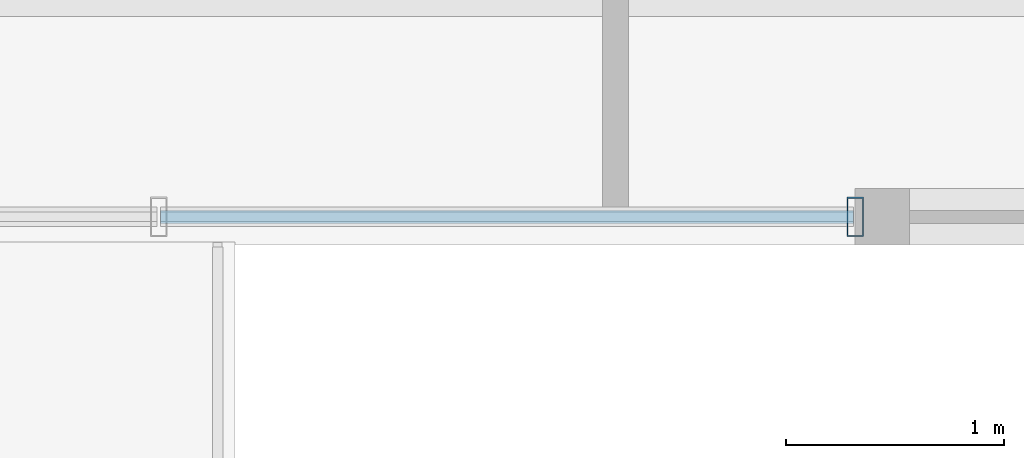
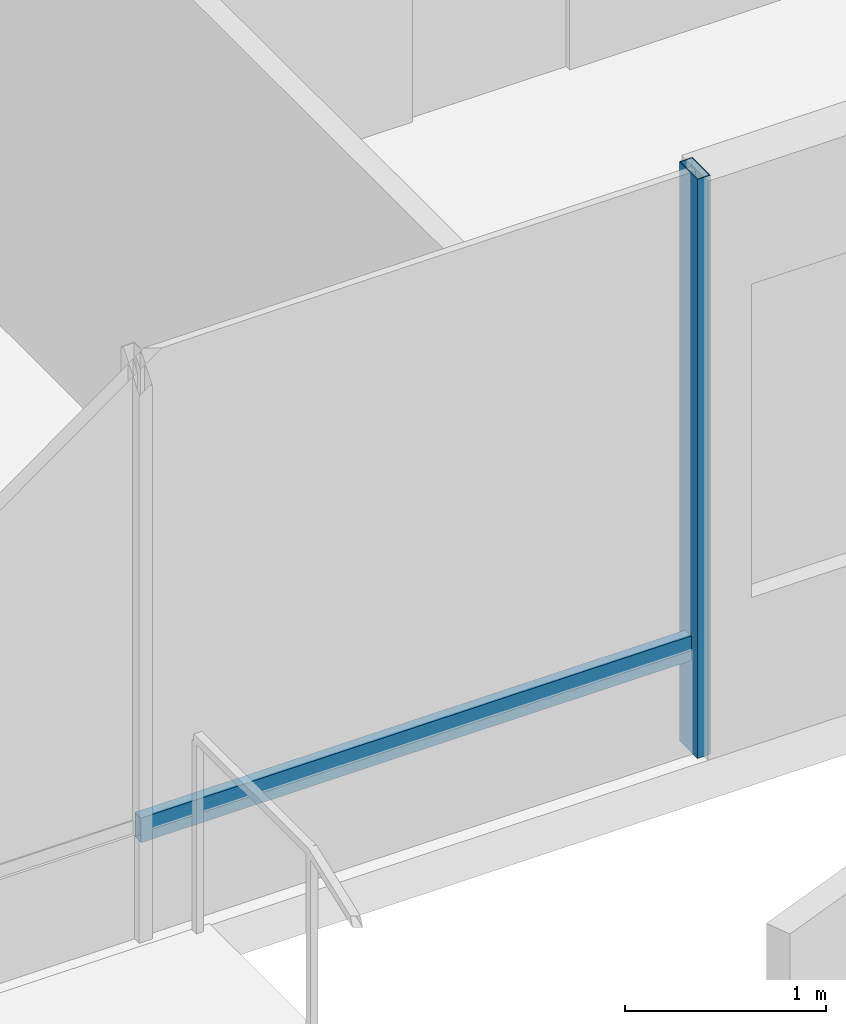
# One storey, part 3 of 17: 2 members, 1 element without a shape of its own.
"""IFC4 building model written with IfcOpenShell, lengths in metres."""

from ifc_helpers import new_model, si_unit, direction, frame, origin, origin_2d, place, context, subcontext, project, spatial, hollow_rectangle, extrude, material, layer, layer_set, material_profile, profile_set, type_object, element, aggregate, save


model = new_model("IFC4")

# Units and contexts
model_context = context("Model", 3, precision=1e-05, world=origin(), true_north=direction((0.0, 1.0)))
body_context = subcontext(model_context, "Body", "Model", "MODEL_VIEW")
ifc_project = project(units=[si_unit("LENGTHUNIT", "METRE"), si_unit("AREAUNIT", "SQUARE_METRE"), si_unit("VOLUMEUNIT", "CUBIC_METRE"), si_unit("PLANEANGLEUNIT", "RADIAN"), si_unit("MASSUNIT", "GRAM", prefix="KILO")], contexts=[model_context])

# Site, building, storey
site_placement = place(None, origin())
site = spatial("IfcSite", under=ifc_project, at=site_placement, CompositionType="ELEMENT")
building_placement = place(site_placement, origin())
building = spatial("IfcBuilding", under=site, at=building_placement, Name="Belovzor Exchange Tower", CompositionType="ELEMENT")
storey_placement = place(building_placement, frame((0.0, 0.0, 325.5)))
storey = spatial("IfcBuildingStorey", under=building, at=storey_placement, Name="L81", CompositionType="ELEMENT", Elevation=325.5)

# Curtain wall, members
ifc_material_1 = material(Name="Anodised Aluminium Framing", Category="aluminium")
ifc_layer = layer(ifc_material_1, 0.179931640625)
ifc_layer_set = layer_set([ifc_layer], Name="Anodised Aluminium Framing")
curtain_wall_type = type_object("IfcCurtainWallType", Name="Recessed Loggia Low-Iron Triple-Glazed Curtain Wall", PredefinedType="NOTDEFINED", material=ifc_layer_set)
curtain_wall_placement = place(storey_placement, origin())
curtain_wall = element("IfcCurtainWall", 1, at=curtain_wall_placement, inside=storey, type_object=curtain_wall_type, Name="CW3 Recessed Loggia Low-Iron Triple-Glazed Curtain Wall L81", PredefinedType="NOTDEFINED")
ifc_material_2 = material(Name="Steel S355", Category="steel")
ifc_material_profile_1 = material_profile(ifc_material_2, hollow_rectangle(XDim=0.074951171875, YDim=0.179931640625, WallThickness=0.0048828125, at=origin_2d()))
ifc_profile_set_1 = profile_set([ifc_material_profile_1], Name="Steel S355")
member_type_1 = type_object("IfcMemberType", Name="Thermally Broken Curtain Wall Mullion 180x75", PredefinedType="MULLION", material=ifc_profile_set_1)
member_1_placement = place(storey_placement, frame((33.60009765625, 6.1298828125, 0.0), z_axis=(0.0, 0.0, 1.0), x_axis=(-1.0, 0.0, 0.0)))
member_1 = element("IfcMember", 2, at=member_1_placement, type_object=member_type_1, Name="CW-M180 Curtain Wall Mullion 1", PredefinedType="MULLION", context=body_context, shape_type="SweptSolid", body=[
    extrude(hollow_rectangle(XDim=0.074951171875, YDim=0.179931640625, WallThickness=0.0048828125, at=origin_2d()), origin(), (0.0, 0.0, 1.0), 3.510009765625),
])
ifc_material_3 = material(Name="Steel S355", Category="steel")
ifc_material_profile_2 = material_profile(ifc_material_3, hollow_rectangle(XDim=0.06005859375, YDim=0.14990234375, WallThickness=0.00390625, at=origin_2d()))
ifc_profile_set_2 = profile_set([ifc_material_profile_2], Name="Steel S355")
member_type_2 = type_object("IfcMemberType", Name="Thermally Broken Curtain Wall Transom 150x60", PredefinedType="USERDEFINED", material=ifc_profile_set_2)
member_2_placement = place(storey_placement, frame((33.592041015625, 6.1298828125, 0.632080078125), z_axis=(-1.0, 0.0, 0.0), x_axis=(0.0, -1.0, 0.0)))
member_2 = element("IfcMember", 3, at=member_2_placement, type_object=member_type_2, Name="CW-T150 Curtain Wall Transom 1", ObjectType="TRANSOM", PredefinedType="USERDEFINED", context=body_context, shape_type="SweptSolid", body=[
    extrude(hollow_rectangle(XDim=0.06005859375, YDim=0.14990234375, WallThickness=0.00390625, at=origin_2d()), origin(), (0.0, 0.0, 1.0), 3.18408203125),
])
aggregate(curtain_wall, [member_1, member_2])

save(model, "model.ifc")
